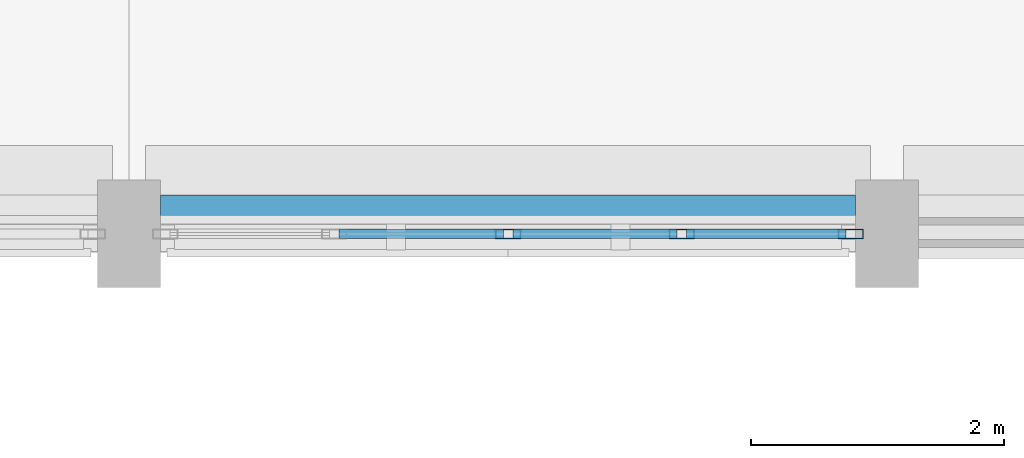
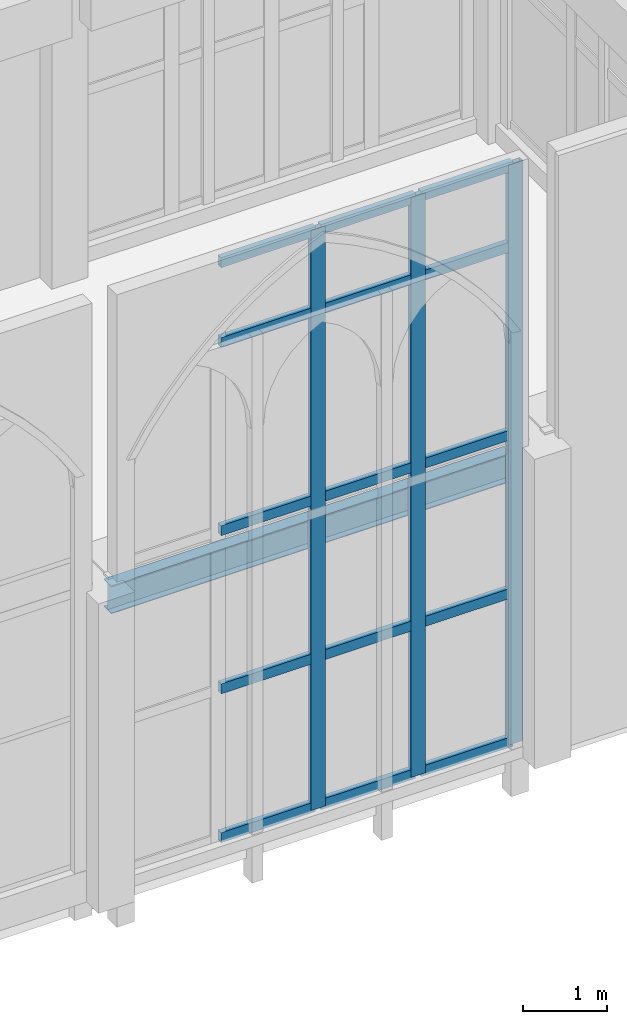
# One storey, part 45 of 108: 18 members, 1 beam, 1 element without a shape of its own.
"""IFC4 building model written with IfcOpenShell, lengths in metres."""

from ifc_helpers import new_model, si_unit, direction, frame, origin, origin_2d, place, context, subcontext, project, spatial, hollow_rectangle, i_section, extrude, material, layer, layer_set, material_profile, profile_set, type_object, element, aggregate, save


model = new_model("IFC4")

# Units and contexts
model_context = context("Model", 3, precision=1e-05, world=origin(), true_north=direction((0.0, 1.0)))
body_context = subcontext(model_context, "Body", "Model", "MODEL_VIEW")
ifc_project = project(units=[si_unit("LENGTHUNIT", "METRE"), si_unit("AREAUNIT", "SQUARE_METRE"), si_unit("VOLUMEUNIT", "CUBIC_METRE"), si_unit("PLANEANGLEUNIT", "RADIAN"), si_unit("MASSUNIT", "GRAM", prefix="KILO")], contexts=[model_context])

# Site, building, storey
site_placement = place(None, origin())
site = spatial("IfcSite", under=ifc_project, at=site_placement, CompositionType="ELEMENT")
building_placement = place(site_placement, origin())
building = spatial("IfcBuilding", under=site, at=building_placement, Name="Cumevento Cable Car Station", CompositionType="ELEMENT")
storey_placement = place(building_placement, frame((0.0, 0.0, 13.5)))
storey = spatial("IfcBuildingStorey", under=building, at=storey_placement, Name="L04", CompositionType="ELEMENT", Elevation=13.5)

# Curtain wall, members
ifc_material_1 = material(Name="Anodised Bronze Aluminium AW-6063-T6", Category="aluminium")
ifc_layer = layer(ifc_material_1, 0.2080078125)
ifc_layer_set = layer_set([ifc_layer], Name="Anodised Bronze Aluminium AW-6063-T6")
curtain_wall_type = type_object("IfcCurtainWallType", Name="Lancet Curtain Wall CW-09 1370", PredefinedType="NOTDEFINED", material=ifc_layer_set)
curtain_wall_placement = place(storey_placement, origin())
curtain_wall = element("IfcCurtainWall", 1, at=curtain_wall_placement, inside=storey, type_object=curtain_wall_type, Name="Lancet Curtain Wall CW-09 L04 #168", PredefinedType="NOTDEFINED")
ifc_material_2 = material(Name="Anodised Bronze Aluminium AW-6063-T6", Category="aluminium")
ifc_material_profile_1 = material_profile(ifc_material_2, hollow_rectangle(XDim=0.074951171875, YDim=0.199951171875, WallThickness=0.0048828125, at=origin_2d()), Name="ALUM75x200x5")
ifc_profile_set_1 = profile_set([ifc_material_profile_1], Name="Anodised Bronze Aluminium AW-6063-T6")
member_type_1 = type_object("IfcMemberType", Name="Curtain Mullion CWM-02 ALUM75x200x5", PredefinedType="MULLION", material=ifc_profile_set_1)
member_1_placement = place(storey_placement, frame((111.71240234375, 45.0, 0.159912109375), z_axis=(0.0, 0.0, 1.0), x_axis=(0.0, -1.0, 0.0)))
member_1 = element("IfcMember", 2, at=member_1_placement, type_object=member_type_1, Name="CW-09 mullion 1", PredefinedType="MULLION", context=body_context, shape_type="SweptSolid", body=[
    extrude(hollow_rectangle(XDim=0.074951171875, YDim=0.199951171875, WallThickness=0.0048828125, at=origin_2d()), origin(), (0.0, 0.0, 1.0), 8.43310546875),
])
member_2_placement = place(storey_placement, frame((110.375, 45.0, 0.159912109375), z_axis=(0.0, 0.0, 1.0), x_axis=(0.0, -1.0, 0.0)))
member_2 = element("IfcMember", 3, at=member_2_placement, type_object=member_type_1, Name="CW-09 mullion 2", PredefinedType="MULLION", context=body_context, shape_type="SweptSolid", body=[
    extrude(hollow_rectangle(XDim=0.074951171875, YDim=0.199951171875, WallThickness=0.0048828125, at=origin_2d()), origin(), (0.0, 0.0, 1.0), 8.43310546875),
])
member_3_placement = place(storey_placement, frame((109.0, 45.0, 0.159912109375), z_axis=(0.0, 0.0, 1.0), x_axis=(0.0, -1.0, 0.0)))
member_3 = element("IfcMember", 4, at=member_3_placement, type_object=member_type_1, Name="CW-09 mullion 3", PredefinedType="MULLION", context=body_context, shape_type="SweptSolid", body=[
    extrude(hollow_rectangle(XDim=0.074951171875, YDim=0.199951171875, WallThickness=0.0048828125, at=origin_2d()), origin(), (0.0, 0.0, 1.0), 8.43310546875),
])
ifc_material_3 = material(Name="Anodised Bronze Aluminium AW-6063-T6", Category="aluminium")
ifc_material_profile_2 = material_profile(ifc_material_3, hollow_rectangle(XDim=0.074951171875, YDim=0.14501953125, WallThickness=0.00439453125, at=origin_2d()), Name="ALUT75x145x4.5")
ifc_profile_set_2 = profile_set([ifc_material_profile_2], Name="Anodised Bronze Aluminium AW-6063-T6")
member_type_2 = type_object("IfcMemberType", Name="Curtain Transom CWT-02 ALUT75x145x4.5", PredefinedType="USERDEFINED", material=ifc_profile_set_2)
member_4_placement = place(storey_placement, frame((111.675048828125, 45.0, 0.197509765625), z_axis=(-1.0, 0.0, 0.0), x_axis=(0.0, -1.0, 0.0)))
member_4 = element("IfcMember", 5, at=member_4_placement, type_object=member_type_2, Name="CW-09 transom 1.1", ObjectType="TRANSOM", PredefinedType="USERDEFINED", context=body_context, shape_type="SweptSolid", body=[
    extrude(hollow_rectangle(XDim=0.074951171875, YDim=0.14501953125, WallThickness=0.00439453125, at=origin_2d()), origin(), (0.0, 0.0, 1.0), 1.262451171875),
])
member_5_placement = place(storey_placement, frame((111.675048828125, 45.0, 2.360107421875), z_axis=(-1.0, 0.0, 0.0), x_axis=(0.0, -1.0, 0.0)))
member_5 = element("IfcMember", 6, at=member_5_placement, type_object=member_type_2, Name="CW-09 transom 1.2", ObjectType="TRANSOM", PredefinedType="USERDEFINED", context=body_context, shape_type="SweptSolid", body=[
    extrude(hollow_rectangle(XDim=0.074951171875, YDim=0.14501953125, WallThickness=0.00439453125, at=origin_2d()), origin(), (0.0, 0.0, 1.0), 1.262451171875),
])
member_6_placement = place(storey_placement, frame((111.675048828125, 45.0, 4.659912109375), z_axis=(-1.0, 0.0, 0.0), x_axis=(0.0, -1.0, 0.0)))
member_6 = element("IfcMember", 7, at=member_6_placement, type_object=member_type_2, Name="CW-09 transom 1.3", ObjectType="TRANSOM", PredefinedType="USERDEFINED", context=body_context, shape_type="SweptSolid", body=[
    extrude(hollow_rectangle(XDim=0.074951171875, YDim=0.14501953125, WallThickness=0.00439453125, at=origin_2d()), origin(), (0.0, 0.0, 1.0), 1.262451171875),
])
member_7_placement = place(storey_placement, frame((111.675048828125, 45.0, 7.39306640625), z_axis=(-1.0, 0.0, 0.0), x_axis=(0.0, -1.0, 0.0)))
member_7 = element("IfcMember", 8, at=member_7_placement, type_object=member_type_2, Name="CW-09 transom 1.4", ObjectType="TRANSOM", PredefinedType="USERDEFINED", context=body_context, shape_type="SweptSolid", body=[
    extrude(hollow_rectangle(XDim=0.074951171875, YDim=0.14501953125, WallThickness=0.00439453125, at=origin_2d()), origin(), (0.0, 0.0, 1.0), 1.262451171875),
])
member_8_placement = place(storey_placement, frame((111.675048828125, 45.0, 8.555419921875), z_axis=(-1.0, 0.0, 0.0), x_axis=(0.0, -1.0, 0.0)))
member_8 = element("IfcMember", 9, at=member_8_placement, type_object=member_type_2, Name="CW-09 transom 1.5", ObjectType="TRANSOM", PredefinedType="USERDEFINED", context=body_context, shape_type="SweptSolid", body=[
    extrude(hollow_rectangle(XDim=0.074951171875, YDim=0.14501953125, WallThickness=0.00439453125, at=origin_2d()), origin(), (0.0, 0.0, 1.0), 1.262451171875),
])
member_9_placement = place(storey_placement, frame((110.33740234375, 45.0, 0.197509765625), z_axis=(-1.0, 0.0, 0.0), x_axis=(0.0, -1.0, 0.0)))
member_9 = element("IfcMember", 10, at=member_9_placement, type_object=member_type_2, Name="CW-09 transom 2.1", ObjectType="TRANSOM", PredefinedType="USERDEFINED", context=body_context, shape_type="SweptSolid", body=[
    extrude(hollow_rectangle(XDim=0.074951171875, YDim=0.14501953125, WallThickness=0.00439453125, at=origin_2d()), origin(), (0.0, 0.0, 1.0), 1.2998046875),
])
member_10_placement = place(storey_placement, frame((110.33740234375, 45.0, 2.360107421875), z_axis=(-1.0, 0.0, 0.0), x_axis=(0.0, -1.0, 0.0)))
member_10 = element("IfcMember", 11, at=member_10_placement, type_object=member_type_2, Name="CW-09 transom 2.2", ObjectType="TRANSOM", PredefinedType="USERDEFINED", context=body_context, shape_type="SweptSolid", body=[
    extrude(hollow_rectangle(XDim=0.074951171875, YDim=0.14501953125, WallThickness=0.00439453125, at=origin_2d()), origin(), (0.0, 0.0, 1.0), 1.2998046875),
])
member_11_placement = place(storey_placement, frame((110.33740234375, 45.0, 4.659912109375), z_axis=(-1.0, 0.0, 0.0), x_axis=(0.0, -1.0, 0.0)))
member_11 = element("IfcMember", 12, at=member_11_placement, type_object=member_type_2, Name="CW-09 transom 2.3", ObjectType="TRANSOM", PredefinedType="USERDEFINED", context=body_context, shape_type="SweptSolid", body=[
    extrude(hollow_rectangle(XDim=0.074951171875, YDim=0.14501953125, WallThickness=0.00439453125, at=origin_2d()), origin(), (0.0, 0.0, 1.0), 1.2998046875),
])
member_12_placement = place(storey_placement, frame((110.33740234375, 45.0, 7.39306640625), z_axis=(-1.0, 0.0, 0.0), x_axis=(0.0, -1.0, 0.0)))
member_12 = element("IfcMember", 13, at=member_12_placement, type_object=member_type_2, Name="CW-09 transom 2.4", ObjectType="TRANSOM", PredefinedType="USERDEFINED", context=body_context, shape_type="SweptSolid", body=[
    extrude(hollow_rectangle(XDim=0.074951171875, YDim=0.14501953125, WallThickness=0.00439453125, at=origin_2d()), origin(), (0.0, 0.0, 1.0), 1.2998046875),
])
member_13_placement = place(storey_placement, frame((110.33740234375, 45.0, 8.555419921875), z_axis=(-1.0, 0.0, 0.0), x_axis=(0.0, -1.0, 0.0)))
member_13 = element("IfcMember", 14, at=member_13_placement, type_object=member_type_2, Name="CW-09 transom 2.5", ObjectType="TRANSOM", PredefinedType="USERDEFINED", context=body_context, shape_type="SweptSolid", body=[
    extrude(hollow_rectangle(XDim=0.074951171875, YDim=0.14501953125, WallThickness=0.00439453125, at=origin_2d()), origin(), (0.0, 0.0, 1.0), 1.2998046875),
])
member_14_placement = place(storey_placement, frame((108.96240234375, 45.0, 0.197509765625), z_axis=(-1.0, 0.0, 0.0), x_axis=(0.0, -1.0, 0.0)))
member_14 = element("IfcMember", 15, at=member_14_placement, type_object=member_type_2, Name="CW-09 transom 3.1", ObjectType="TRANSOM", PredefinedType="USERDEFINED", context=body_context, shape_type="SweptSolid", body=[
    extrude(hollow_rectangle(XDim=0.074951171875, YDim=0.14501953125, WallThickness=0.00439453125, at=origin_2d()), origin(), (0.0, 0.0, 1.0), 1.2998046875),
])
member_15_placement = place(storey_placement, frame((108.96240234375, 45.0, 2.360107421875), z_axis=(-1.0, 0.0, 0.0), x_axis=(0.0, -1.0, 0.0)))
member_15 = element("IfcMember", 16, at=member_15_placement, type_object=member_type_2, Name="CW-09 transom 3.2", ObjectType="TRANSOM", PredefinedType="USERDEFINED", context=body_context, shape_type="SweptSolid", body=[
    extrude(hollow_rectangle(XDim=0.074951171875, YDim=0.14501953125, WallThickness=0.00439453125, at=origin_2d()), origin(), (0.0, 0.0, 1.0), 1.2998046875),
])
member_16_placement = place(storey_placement, frame((108.96240234375, 45.0, 4.659912109375), z_axis=(-1.0, 0.0, 0.0), x_axis=(0.0, -1.0, 0.0)))
member_16 = element("IfcMember", 17, at=member_16_placement, type_object=member_type_2, Name="CW-09 transom 3.3", ObjectType="TRANSOM", PredefinedType="USERDEFINED", context=body_context, shape_type="SweptSolid", body=[
    extrude(hollow_rectangle(XDim=0.074951171875, YDim=0.14501953125, WallThickness=0.00439453125, at=origin_2d()), origin(), (0.0, 0.0, 1.0), 1.2998046875),
])
member_17_placement = place(storey_placement, frame((108.96240234375, 45.0, 7.39306640625), z_axis=(-1.0, 0.0, 0.0), x_axis=(0.0, -1.0, 0.0)))
member_17 = element("IfcMember", 18, at=member_17_placement, type_object=member_type_2, Name="CW-09 transom 3.4", ObjectType="TRANSOM", PredefinedType="USERDEFINED", context=body_context, shape_type="SweptSolid", body=[
    extrude(hollow_rectangle(XDim=0.074951171875, YDim=0.14501953125, WallThickness=0.00439453125, at=origin_2d()), origin(), (0.0, 0.0, 1.0), 1.2998046875),
])
member_18_placement = place(storey_placement, frame((108.96240234375, 45.0, 8.555419921875), z_axis=(-1.0, 0.0, 0.0), x_axis=(0.0, -1.0, 0.0)))
member_18 = element("IfcMember", 19, at=member_18_placement, type_object=member_type_2, Name="CW-09 transom 3.5", ObjectType="TRANSOM", PredefinedType="USERDEFINED", context=body_context, shape_type="SweptSolid", body=[
    extrude(hollow_rectangle(XDim=0.074951171875, YDim=0.14501953125, WallThickness=0.00439453125, at=origin_2d()), origin(), (0.0, 0.0, 1.0), 1.2998046875),
])
aggregate(curtain_wall, [member_1, member_2, member_3, member_4, member_5, member_6, member_7, member_8, member_9, member_10, member_11, member_12, member_13, member_14, member_15, member_16, member_17, member_18])

# Beam
ifc_material_4 = material(Name="Steel ASTM A572 Grade 50", Category="steel")
ifc_material_profile_3 = material_profile(ifc_material_4, i_section(OverallWidth=0.177978515625, OverallDepth=0.406982421875, WebThickness=0.0078125, FlangeThickness=0.0126953125, at=origin_2d()), Name="W410x60.0")
ifc_profile_set_3 = profile_set([ifc_material_profile_3], Name="Steel ASTM A572 Grade 50")
beam_type = type_object("IfcBeamType", Name="Structural Spandrel SP-01 W410x60.0", PredefinedType="SPANDREL", material=ifc_profile_set_3)
beam_placement = place(storey_placement, frame((106.25, 45.219970703125, 4.04638671875), z_axis=(1.0, 0.0, 0.0), x_axis=(0.0, 1.0, 0.0)))
element("IfcBeam", 20, at=beam_placement, inside=storey, type_object=beam_type, Name="Beam SP-01 L04 #1430", PredefinedType="SPANDREL", context=body_context, shape_type="SweptSolid", body=[
    extrude(i_section(OverallWidth=0.177978515625, OverallDepth=0.406982421875, WebThickness=0.0078125, FlangeThickness=0.0126953125, at=origin_2d()), origin(), (0.0, 0.0, 1.0), 5.5),
])

save(model, "model.ifc")
